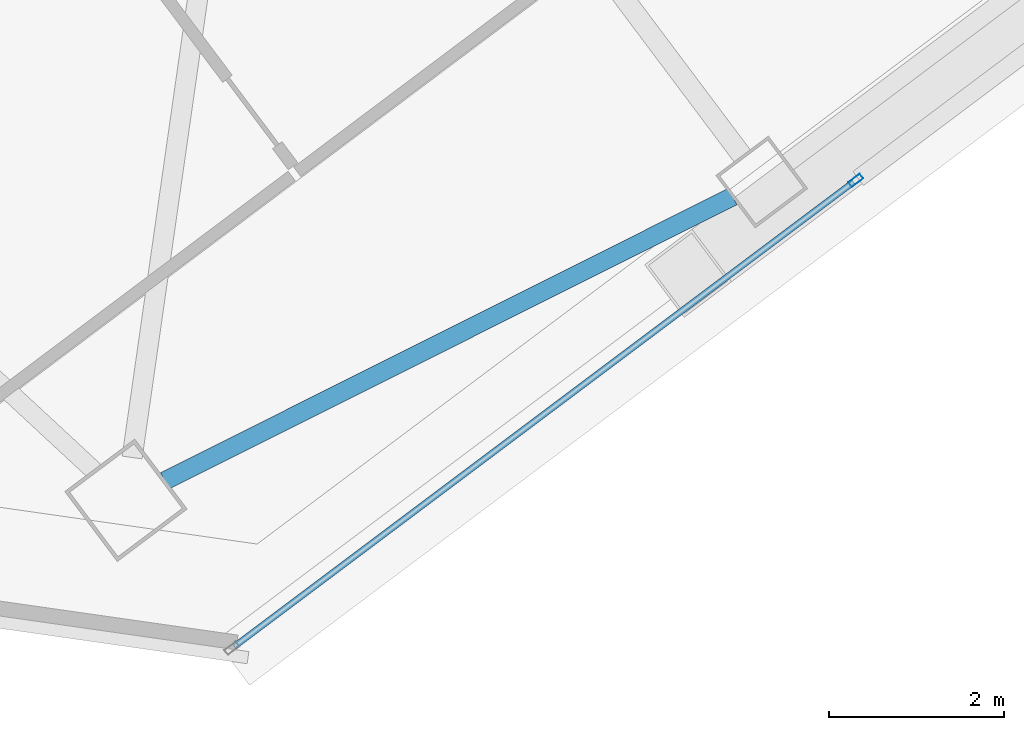
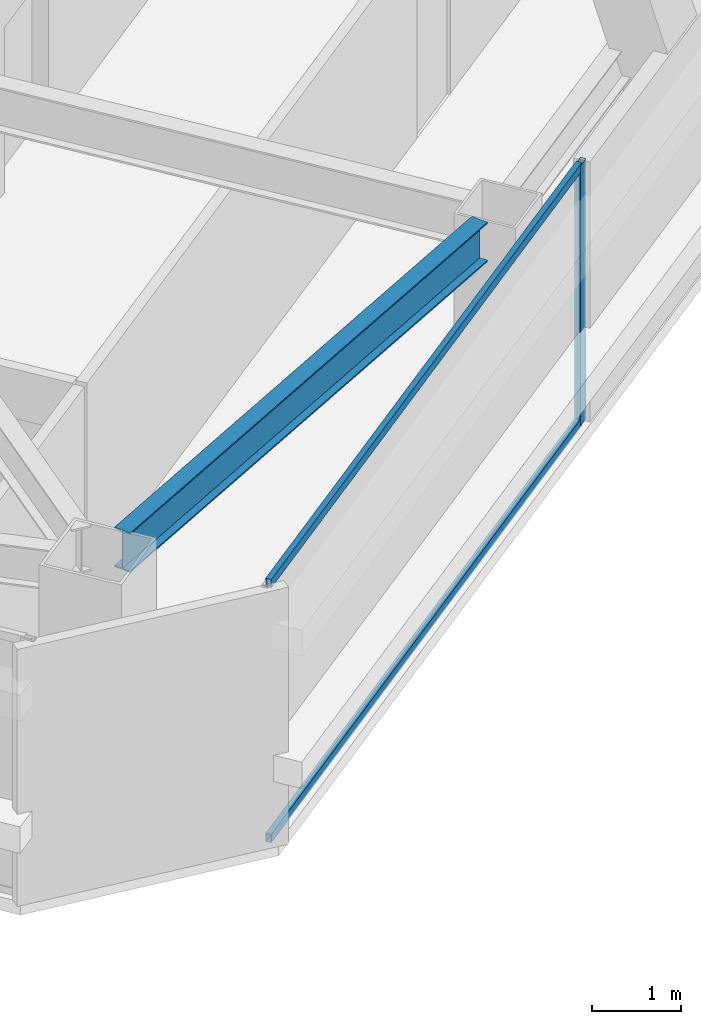
# One storey, part 22 of 47: 3 members, 1 beam, 1 element without a shape of its own.
"""IFC4 building model written with IfcOpenShell, lengths in metres."""

from ifc_helpers import new_model, si_unit, direction, frame, origin, origin_2d, place, context, subcontext, project, spatial, hollow_rectangle, i_section, extrude, material, material_profile, profile_set, type_object, element, aggregate, save


model = new_model("IFC4")

# Units and contexts
model_context = context("Model", 3, precision=1e-05, world=origin(), true_north=direction((0.0, 1.0)))
body_context = subcontext(model_context, "Body", "Model", "MODEL_VIEW")
ifc_project = project(units=[si_unit("LENGTHUNIT", "METRE"), si_unit("AREAUNIT", "SQUARE_METRE"), si_unit("VOLUMEUNIT", "CUBIC_METRE"), si_unit("PLANEANGLEUNIT", "RADIAN"), si_unit("MASSUNIT", "GRAM", prefix="KILO")], contexts=[model_context])

# Site, building, storey
site_placement = place(None, origin())
site = spatial("IfcSite", under=ifc_project, at=site_placement, CompositionType="ELEMENT")
building_placement = place(site_placement, origin())
building = spatial("IfcBuilding", under=site, at=building_placement, Name="Tashvorn Skyway Center", CompositionType="ELEMENT")
storey_placement = place(building_placement, frame((0.0, 0.0, 204.199951171875)))
storey = spatial("IfcBuildingStorey", under=building, at=storey_placement, Name="L55", CompositionType="ELEMENT", Elevation=204.199951171875)

# Beam
ifc_material_1 = material(Name="Steel ASTM A992 Grade 50", Category="steel")
ifc_material_profile_1 = material_profile(ifc_material_1, i_section(OverallWidth=0.2109375, OverallDepth=0.5390625, WebThickness=0.01171875, FlangeThickness=0.018798828125, at=origin_2d()), Name="W21X73")
ifc_profile_set_1 = profile_set([ifc_material_profile_1], Name="Steel ASTM A992 Grade 50")
beam_type = type_object("IfcBeamType", Name="BM-SPANDREL-W21X73", PredefinedType="SPANDREL", material=ifc_profile_set_1)
beam_placement = place(storey_placement, frame((111.7626953125, 13.461669921875, 3.1005859375), z_axis=(0.894178380472, 0.447710870872, 0.0), x_axis=(-0.447710870872, 0.894178380472, 0.0)))
element("IfcBeam", 1, at=beam_placement, inside=storey, type_object=beam_type, Name="Tower 2 L55 Spandrel Beam 01", PredefinedType="SPANDREL", context=body_context, shape_type="SweptSolid", body=[
    extrude(i_section(OverallWidth=0.2109375, OverallDepth=0.5390625, WebThickness=0.01171875, FlangeThickness=0.018798828125, at=origin_2d()), origin(), (0.0, 0.0, 1.0), 7.26513671875),
])

# Curtain wall, members
ifc_material_2 = material(Name="Thermally broken bronze-anodized aluminium 6063-T6", Category="aluminium")
curtain_wall_type = type_object("IfcCurtainWallType", Name="CW-CW-Z5", PredefinedType="NOTDEFINED", material=ifc_material_2)
curtain_wall_placement = place(storey_placement, origin())
curtain_wall = element("IfcCurtainWall", 2, at=curtain_wall_placement, inside=storey, type_object=curtain_wall_type, Name="Tower 2 L55 South Unitised Curtain Wall Glazing Group 2", PredefinedType="NOTDEFINED")
ifc_material_profile_2 = material_profile(ifc_material_2, hollow_rectangle(XDim=0.070068359375, YDim=0.1650390625, WallThickness=0.00390625, at=origin_2d()), Name="ALU-MULL-70x165")
ifc_profile_set_2 = profile_set([ifc_material_profile_2], Name="Thermally broken bronze-anodized aluminium 6063-T6")
member_type_1 = type_object("IfcMemberType", Name="CWM-CW-Z5", PredefinedType="MULLION", material=ifc_profile_set_2)
member_1_placement = place(storey_placement, frame((119.665283203125, 16.89892578125, 0.0), z_axis=(0.0, 0.0, 1.0), x_axis=(0.600001780418, -0.799998664683, 0.0)))
member_1 = element("IfcMember", 3, at=member_1_placement, type_object=member_type_1, Name="CW-Z5 mullion 1", PredefinedType="MULLION", context=body_context, shape_type="SweptSolid", body=[
    extrude(hollow_rectangle(XDim=0.070068359375, YDim=0.1650390625, WallThickness=0.00390625, at=origin_2d()), origin(), (0.0, 0.0, 1.0), 3.550048828125),
])
ifc_material_profile_3 = material_profile(ifc_material_2, hollow_rectangle(XDim=0.070068359375, YDim=0.114990234375, WallThickness=0.00390625, at=origin_2d()), Name="ALU-TRAN-70x115")
ifc_profile_set_3 = profile_set([ifc_material_profile_3], Name="Thermally broken bronze-anodized aluminium 6063-T6")
member_type_2 = type_object("IfcMemberType", Name="CWT-CW-Z5", PredefinedType="USERDEFINED", material=ifc_profile_set_3)
member_2_placement = place(storey_placement, frame((119.63720703125, 16.8779296875, 0.03515625), z_axis=(-0.8, -0.6, 0.0), x_axis=(0.6, -0.8, 0.0)))
member_2 = element("IfcMember", 4, at=member_2_placement, type_object=member_type_2, Name="CW-Z5 transom 1.1", ObjectType="TRANSOM", PredefinedType="USERDEFINED", context=body_context, shape_type="SweptSolid", body=[
    extrude(hollow_rectangle(XDim=0.070068359375, YDim=0.114990234375, WallThickness=0.00390625, at=origin_2d()), origin(), (0.0, 0.0, 1.0), 8.846435546875),
])
member_3_placement = place(storey_placement, frame((119.63720703125, 16.8779296875, 3.51513671875), z_axis=(-0.8, -0.6, 0.0), x_axis=(0.6, -0.8, 0.0)))
member_3 = element("IfcMember", 5, at=member_3_placement, type_object=member_type_2, Name="CW-Z5 transom 1.2", ObjectType="TRANSOM", PredefinedType="USERDEFINED", context=body_context, shape_type="SweptSolid", body=[
    extrude(hollow_rectangle(XDim=0.070068359375, YDim=0.114990234375, WallThickness=0.00390625, at=origin_2d()), origin(), (0.0, 0.0, 1.0), 8.846435546875),
])
aggregate(curtain_wall, [member_1, member_2, member_3])

save(model, "model.ifc")
